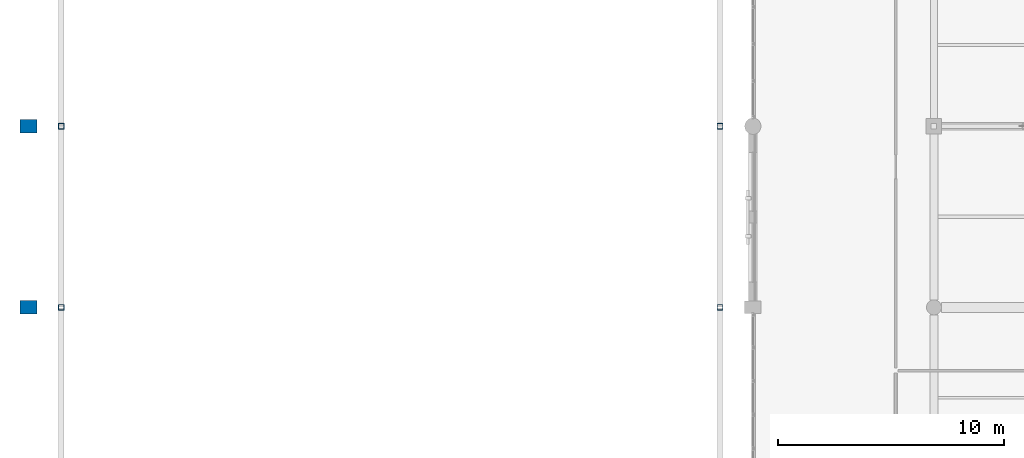
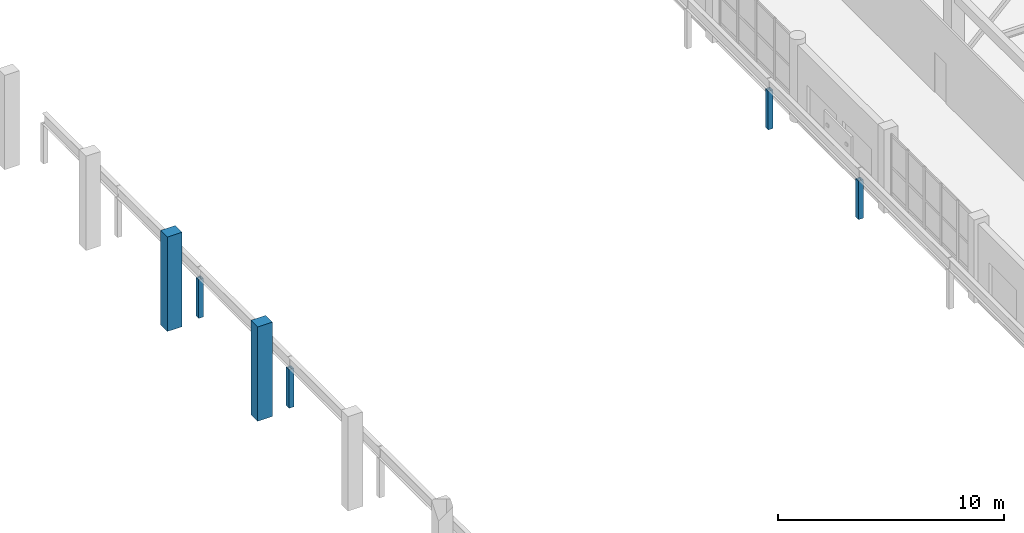
# One storey, part 14 of 160: 6 columns.
"""IFC4 building model written with IfcOpenShell, lengths in metres."""

from ifc_helpers import new_model, si_unit, direction, frame, origin, origin_2d, place, context, subcontext, project, spatial, rectangle, hollow_rectangle, extrude, material, material_profile, profile_set, type_object, element, save


model = new_model("IFC4")

# Units and contexts
model_context = context("Model", 3, precision=1e-05, world=origin(), true_north=direction((0.0, 1.0)))
body_context = subcontext(model_context, "Body", "Model", "MODEL_VIEW")
ifc_project = project(units=[si_unit("LENGTHUNIT", "METRE"), si_unit("AREAUNIT", "SQUARE_METRE"), si_unit("VOLUMEUNIT", "CUBIC_METRE"), si_unit("PLANEANGLEUNIT", "RADIAN"), si_unit("MASSUNIT", "GRAM", prefix="KILO")], contexts=[model_context])

# Site, building, storey
site_placement = place(None, origin())
site = spatial("IfcSite", under=ifc_project, at=site_placement, CompositionType="ELEMENT")
building_placement = place(site_placement, origin())
building = spatial("IfcBuilding", under=site, at=building_placement, Name="Kharva Crest Polytechnic", CompositionType="ELEMENT")
storey_placement = place(building_placement, frame((0.0, 0.0, 4.5)))
storey = spatial("IfcBuildingStorey", under=building, at=storey_placement, Name="L01", CompositionType="ELEMENT", Elevation=4.5)

# Columns
ifc_material_1 = material(Name="Concrete C40/50", Category="concrete")
ifc_material_profile_1 = material_profile(ifc_material_1, rectangle(XDim=0.75, YDim=0.60009765625, at=origin_2d()), Name="RECT 750 X 600")
ifc_profile_set_1 = profile_set([ifc_material_profile_1], Name="Concrete C40/50")
column_type_1 = type_object("IfcColumnType", Name="COL-EXT-750X600", PredefinedType="COLUMN", material=ifc_profile_set_1)
for number, where, z_axis, x_axis, name in (
    (1, (0.0, 70.800048828125, 0.0), (0.0, 0.0, 1.0), (1.0, 0.0, 0.0), "L01 Column 1/K"),
    (2, (0.0, 78.800048828125, 0.0), (0.0, 0.0, 1.0), (1.0, 0.0, 0.0), "L01 Column 1/L"),
):
    element("IfcColumn", number, at=place(storey_placement, frame(where, z_axis=z_axis, x_axis=x_axis)), inside=storey, type_object=column_type_1, Name=name, PredefinedType="COLUMN", context=body_context, shape_type="SweptSolid", body=[
        extrude(rectangle(XDim=0.75, YDim=0.60009765625, at=origin_2d()), origin(), (0.0, 0.0, 1.0), 5.10009765625),
    ])
ifc_material_2 = material(Name="Steel S355", Category="steel")
ifc_material_profile_2 = material_profile(ifc_material_2, hollow_rectangle(XDim=0.25, YDim=0.25, WallThickness=0.010009765625, at=origin_2d()), Name="RHS 250X250X10.0")
ifc_profile_set_2 = profile_set([ifc_material_profile_2], Name="Steel S355")
column_type_2 = type_object("IfcColumnType", Name="COL-STL-RHS250", PredefinedType="COLUMN", material=ifc_profile_set_2)
for number, where, z_axis, x_axis, name in (
    (3, (1.449951171875, 70.800048828125, 0.0), (0.0, 0.0, 1.0), (1.0, 0.0, 0.0), "L01 Crane Upper Column W5"),
    (4, (1.449951171875, 78.800048828125, 0.0), (0.0, 0.0, 1.0), (1.0, 0.0, 0.0), "L01 Crane Upper Column W6"),
    (5, (30.550048828125, 70.800048828125, 0.0), (0.0, 0.0, 1.0), (1.0, 0.0, 0.0), "L01 Crane Upper Column E5"),
    (6, (30.550048828125, 78.800048828125, 0.0), (0.0, 0.0, 1.0), (1.0, 0.0, 0.0), "L01 Crane Upper Column E6"),
):
    element("IfcColumn", number, at=place(storey_placement, frame(where, z_axis=z_axis, x_axis=x_axis)), inside=storey, type_object=column_type_2, Name=name, PredefinedType="COLUMN", context=body_context, shape_type="SweptSolid", body=[
        extrude(hollow_rectangle(XDim=0.25, YDim=0.25, WallThickness=0.010009765625, at=origin_2d()), origin(), (0.0, 0.0, 1.0), 2.087890625),
    ])

save(model, "model.ifc")
